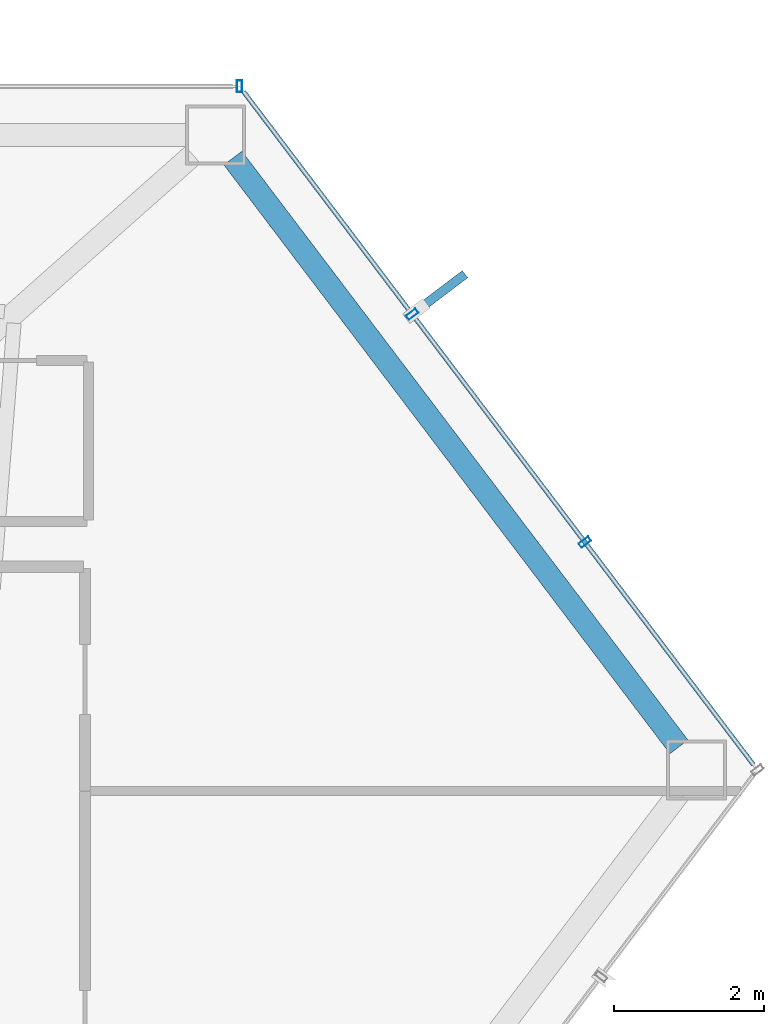
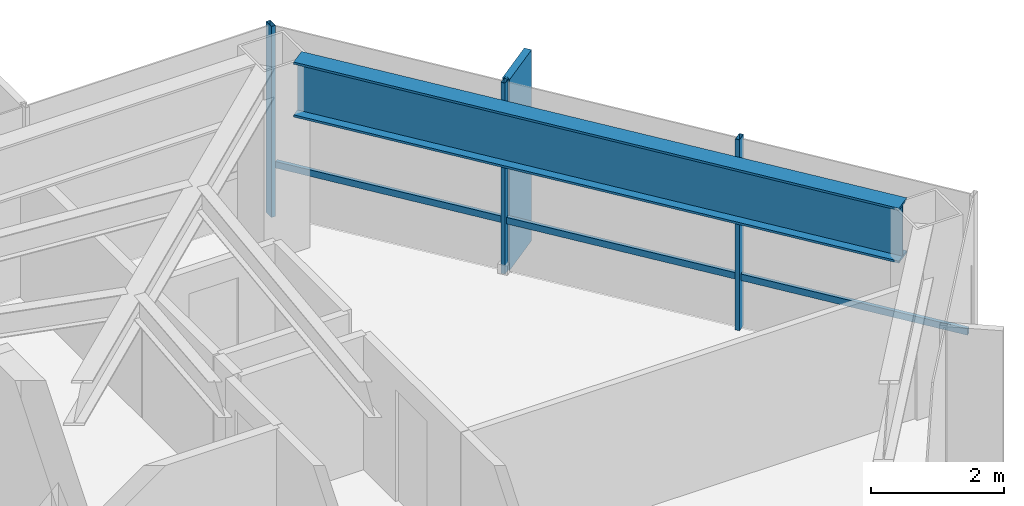
# One storey, part 23 of 28: 5 members, 1 beam, 2 elements without a shape of their own.
"""IFC4 building model written with IfcOpenShell, lengths in metres."""

import ifcopenshell
import ifcopenshell.guid

model = None  # the IFC model being written
_history = None  # IfcOwnerHistory: only IFC2X3 demands one
_inside = {}  # id of a spatial element -> (the spatial element, [elements in it])
_under = {}  # id of a project, library or spatial element -> (it, [spatial elements below it])
_declared = {}  # id of a project -> (the project, [libraries it declares])
_typed = {}  # id of a type object -> (the type object, [elements of that type])
_made_of = {}  # id of a material, layer set ... -> (it, [elements and type objects made of it])


def new_model(schema):
    """Start an empty IFC model of exactly this schema.

    Asked for "IFC4X3", IfcOpenShell would pick the latest addendum, in which some entities
    have other attributes; the version numbers below select the first issue.
    IFC2X3 requires an IfcOwnerHistory on every rooted entity: one is made here for all.
    """
    global model, _history
    if schema == "IFC4X3":
        model = ifcopenshell.file(schema_version=(4, 3, 0, 0))
    else:
        model = ifcopenshell.file(schema=schema)
    _inside.clear()
    _under.clear()
    _declared.clear()
    _typed.clear()
    _made_of.clear()
    _history = None
    if model.schema == "IFC2X3":
        org = make("IfcOrganization", Name="unknown")
        user = make(
            "IfcPersonAndOrganization",
            ThePerson=make("IfcPerson", FamilyName="unknown"),
            TheOrganization=org,
        )
        app = make(
            "IfcApplication",
            ApplicationDeveloper=org,
            Version="unknown",
            ApplicationFullName="unknown",
            ApplicationIdentifier="unknown",
        )
        _history = make(
            "IfcOwnerHistory",
            OwningUser=user,
            OwningApplication=app,
            ChangeAction="ADDED",
            CreationDate=0,
        )
    return model


def make(cls, **values):
    """One entity of the class cls with the attributes given. An attribute that is None is left unset."""
    return model.create_entity(
        cls, **{name: value for name, value in values.items() if value is not None}
    )


def rooted(cls, **values):
    """An entity with a GlobalId (a new one), such as an element, a storey or a relation."""
    return make(cls, GlobalId=ifcopenshell.guid.new(), OwnerHistory=_history, **values)


def si_unit(unit_type, name, prefix=None):
    """IfcSIUnit, for example si_unit("LENGTHUNIT", "METRE", prefix="MILLI")."""
    return make("IfcSIUnit", UnitType=unit_type, Prefix=prefix, Name=name)


def assignment(units):
    """IfcUnitAssignment: the units of a project."""
    return None if units is None else make("IfcUnitAssignment", Units=units)


def point(xyz):
    """IfcCartesianPoint."""
    return None if xyz is None else make("IfcCartesianPoint", Coordinates=xyz)


def direction(xyz):
    """IfcDirection."""
    return None if xyz is None else make("IfcDirection", DirectionRatios=xyz)


def frame(location, z_axis=None, x_axis=None):
    """IfcAxis2Placement3D, a coordinate frame: its origin and axes. An axis left out is left unset."""
    return make(
        "IfcAxis2Placement3D",
        Location=point(location),
        Axis=direction(z_axis),
        RefDirection=direction(x_axis),
    )


def frame_2d(location, x_axis=None):
    """IfcAxis2Placement2D, a coordinate frame in the plane: its origin and x axis."""
    return make(
        "IfcAxis2Placement2D", Location=point(location), RefDirection=direction(x_axis)
    )


def origin():
    """The frame at (0, 0, 0) with its axes left unset."""
    return frame((0.0, 0.0, 0.0))


def origin_2d():
    """The frame at (0, 0) in the plane with its x axis left unset."""
    return frame_2d((0.0, 0.0))


def place(relative_to, where):
    """IfcLocalPlacement: puts the frame where relative to a parent placement (None: the world)."""
    return make(
        "IfcLocalPlacement", PlacementRelTo=relative_to, RelativePlacement=where
    )


def context(
    kind, dimensions, precision=None, world=None, true_north=None, identifier=None
):
    """IfcGeometricRepresentationContext, for example the 3D "Model" context."""
    return make(
        "IfcGeometricRepresentationContext",
        ContextIdentifier=identifier,
        ContextType=kind,
        CoordinateSpaceDimension=dimensions,
        Precision=precision,
        WorldCoordinateSystem=world,
        TrueNorth=true_north,
    )


def subcontext(parent, identifier, kind, view, scale=None):
    """IfcGeometricRepresentationSubContext, for example "Body" below "Model"."""
    return make(
        "IfcGeometricRepresentationSubContext",
        ContextIdentifier=identifier,
        ContextType=kind,
        ParentContext=parent,
        TargetScale=scale,
        TargetView=view,
    )


def project(units=None, contexts=None):
    """IfcProject with its units and contexts."""
    return rooted(
        "IfcProject",
        Name="project",
        RepresentationContexts=contexts,
        UnitsInContext=assignment(units),
    )


def spatial(cls, under=None, at=None, **own):
    """A site, building, storey or space (cls), placed at a placement, below another one or the project."""
    s = rooted(cls, ObjectPlacement=at, **own)
    if under is not None:
        _under.setdefault(under.id(), (under, []))[1].append(s)
    return s


def profile(cls, at=None, kind="AREA", **sizes):
    """A parametric profile (cls). Its sizes go by their IFC names, for example OverallWidth=200.0."""
    return make(cls, ProfileType=kind, Position=at, **sizes)


def rectangle(**sizes):
    """IfcRectangleProfileDef."""
    return profile("IfcRectangleProfileDef", **sizes)


def hollow_rectangle(**sizes):
    """IfcRectangleHollowProfileDef."""
    return profile("IfcRectangleHollowProfileDef", **sizes)


def i_section(**sizes):
    """IfcIShapeProfileDef."""
    return profile("IfcIShapeProfileDef", **sizes)


def extrude(swept, where, along, depth):
    """IfcExtrudedAreaSolid: the profile swept, set in the frame where, extruded along a direction by depth."""
    return make(
        "IfcExtrudedAreaSolid",
        SweptArea=swept,
        Position=where,
        ExtrudedDirection=direction(along),
        Depth=depth,
    )


def shape(context_of_items, identifier, shape_type, items):
    """IfcShapeRepresentation: the items that make up one representation, for example the "Body"."""
    return make(
        "IfcShapeRepresentation",
        ContextOfItems=context_of_items,
        RepresentationIdentifier=identifier,
        RepresentationType=shape_type,
        Items=items,
    )


def material(Name=None, Category=None):
    """IfcMaterial."""
    return make("IfcMaterial", Name=Name, Category=Category)


def layer(
    of_material, thickness, ventilated=None, Name=None, Category=None, Priority=None
):
    """IfcMaterialLayer: one layer of a wall or slab, of a material (None: an air gap)."""
    return make(
        "IfcMaterialLayer",
        Material=of_material,
        LayerThickness=thickness,
        IsVentilated=ventilated,
        Name=Name,
        Category=Category,
        Priority=Priority,
    )


def layer_set(layers, Name=None):
    """IfcMaterialLayerSet."""
    return make("IfcMaterialLayerSet", MaterialLayers=layers, LayerSetName=Name)


def material_profile(
    of_material, cross_section, Name=None, Category=None, Priority=None
):
    """IfcMaterialProfile: a cross section and its material."""
    return make(
        "IfcMaterialProfile",
        Name=Name,
        Material=of_material,
        Profile=cross_section,
        Priority=Priority,
        Category=Category,
    )


def profile_set(profiles, Name=None, composite=None):
    """IfcMaterialProfileSet."""
    return make(
        "IfcMaterialProfileSet",
        Name=Name,
        MaterialProfiles=profiles,
        CompositeProfile=composite,
    )


def made_of(thing, what):
    """Note that an element or type object is made of a material, layer set ...; save() writes the relation."""
    if what is not None:
        _made_of.setdefault(what.id(), (what, []))[1].append(thing)
    return thing


def type_object(cls, material=None, **own):
    """A type object (cls), such as IfcWallType, which elements share."""
    return made_of(rooted(cls, **own), material)


def element(
    cls,
    number,
    at=None,
    inside=None,
    cuts=None,
    type_object=None,
    material=None,
    context=None,
    identifier="Body",
    shape_type=None,
    held_by="IfcProductDefinitionShape",
    body=None,
    shapes=None,
    **own,
):
    """One element of the class cls, such as IfcWall. Its Tag is "e" and its number.

    at: its placement. inside: the storey or other place that contains it. cuts: it is an
    opening in that element (IfcRelVoidsElement). A single representation is given by context,
    identifier, shape_type and body (its items); several are given by shapes. held_by: the class
    of the entity that holds the representations. save() writes the other relations.
    """
    e = rooted(cls, Tag="e%d" % number, ObjectPlacement=at, **own)
    if body is not None:
        shapes = [shape(context, identifier, shape_type, body)]
    if shapes is not None:
        e.Representation = make(held_by, Representations=shapes)
    if inside is not None:
        _inside.setdefault(inside.id(), (inside, []))[1].append(e)
    if cuts is not None:
        rooted(
            "IfcRelVoidsElement", RelatingBuildingElement=cuts, RelatedOpeningElement=e
        )
    if type_object is not None:
        _typed.setdefault(type_object.id(), (type_object, []))[1].append(e)
    return made_of(e, material)


def aggregate(whole, parts):
    """IfcRelAggregates: a whole, such as a stair, and the parts it consists of."""
    return rooted("IfcRelAggregates", RelatingObject=whole, RelatedObjects=parts)


def save(model, path):
    """Write the relations noted so far, then the file.

    IfcRelAggregates (storeys below a building ...), IfcRelContainedInSpatialStructure (elements
    in a storey), IfcRelDefinesByType, IfcRelAssociatesMaterial and IfcRelDeclares: one each for
    every whole, place, type object, material and project.
    """
    for whole, parts in _under.values():
        aggregate(whole, parts)
    for where, things in _inside.values():
        rooted(
            "IfcRelContainedInSpatialStructure",
            RelatedElements=things,
            RelatingStructure=where,
        )
    for kind, things in _typed.values():
        rooted("IfcRelDefinesByType", RelatedObjects=things, RelatingType=kind)
    for what, things in _made_of.values():
        rooted("IfcRelAssociatesMaterial", RelatedObjects=things, RelatingMaterial=what)
    for by, libraries in _declared.values():
        rooted("IfcRelDeclares", RelatingContext=by, RelatedDefinitions=libraries)
    model.write(path)


model = new_model("IFC4")

# Units and contexts
model_context = context("Model", 3, precision=1e-05, world=origin(), true_north=direction((0.0, 1.0)))
body_context = subcontext(model_context, "Body", "Model", "MODEL_VIEW")
ifc_project = project(units=[si_unit("LENGTHUNIT", "METRE"), si_unit("AREAUNIT", "SQUARE_METRE"), si_unit("VOLUMEUNIT", "CUBIC_METRE"), si_unit("PLANEANGLEUNIT", "RADIAN"), si_unit("MASSUNIT", "GRAM", prefix="KILO")], contexts=[model_context])

# Site, building, storey
site_placement = place(None, origin())
site = spatial("IfcSite", under=ifc_project, at=site_placement, CompositionType="ELEMENT")
building_placement = place(site_placement, origin())
building = spatial("IfcBuilding", under=site, at=building_placement, Name="Zarrinselat Tower", CompositionType="ELEMENT")
storey_placement = place(building_placement, frame((0.0, 0.0, 157.080078125)))
storey = spatial("IfcBuildingStorey", under=building, at=storey_placement, Name="L38", CompositionType="ELEMENT", Elevation=157.080078125)

# Beam
ifc_material_1 = material(Name="Steel S460M", Category="steel")
ifc_material_profile_1 = material_profile(ifc_material_1, i_section(OverallWidth=0.302001953125, OverallDepth=1.008056640625, WebThickness=0.02099609375, FlangeThickness=0.0400390625, at=origin_2d()), Name="HEM 1000")
ifc_profile_set_1 = profile_set([ifc_material_profile_1], Name="Steel S460M")
beam_type = type_object("IfcBeamType", Name="BM-HEM1000", PredefinedType="BEAM", material=ifc_profile_set_1)
beam_placement = place(storey_placement, frame((55.9765625, 47.95751953125, 2.995849609375), z_axis=(0.603846251139, -0.79710081231, 0.0), x_axis=(0.79710081231, 0.603846251139, 0.0)))
element("IfcBeam", 1, at=beam_placement, inside=storey, type_object=beam_type, Name="L38 Perimeter Spandrel Girder SP15", PredefinedType="BEAM", context=body_context, shape_type="SweptSolid", body=[
    extrude(i_section(OverallWidth=0.302001953125, OverallDepth=1.008056640625, WebThickness=0.02099609375, FlangeThickness=0.0400390625, at=origin_2d()), origin(), (0.0, 0.0, 1.0), 9.864013671875),
])

# Curtain wall, member
ifc_material_2 = material(Name="Extruded Aluminium Alloy EN AW-6063 T6", Category="aluminium")
ifc_layer = layer(ifc_material_2, 0.175048828125)
ifc_layer_set = layer_set([ifc_layer], Name="Extruded Aluminium Alloy EN AW-6063 T6")
curtain_wall_type = type_object("IfcCurtainWallType", Name="CWS-HTL", PredefinedType="NOTDEFINED", material=ifc_layer_set)
curtain_wall_1_placement = place(storey_placement, origin())
curtain_wall_1 = element("IfcCurtainWall", 2, at=curtain_wall_1_placement, inside=storey, type_object=curtain_wall_type, Name="L38 Unitised Curtain Wall CW-L38-E03", PredefinedType="NOTDEFINED")
ifc_material_3 = material(Name="Extruded Aluminium Alloy EN AW-6063 T6", Category="aluminium")
ifc_material_profile_2 = material_profile(ifc_material_3, hollow_rectangle(XDim=0.070068359375, YDim=0.159912109375, WallThickness=0.00390625, at=origin_2d()), Name="RHS 160x70x4")
ifc_profile_set_2 = profile_set([ifc_material_profile_2], Name="Extruded Aluminium Alloy EN AW-6063 T6")
member_type_1 = type_object("IfcMemberType", Name="MEM-CW-MUL2", PredefinedType="MULLION", material=ifc_profile_set_2)
member_1_placement = place(storey_placement, frame((56.065185546875, 48.916748046875, 0.0), z_axis=(0.0, 0.0, 1.0), x_axis=(1.0, 0.0, 0.0)))
member_1 = element("IfcMember", 3, at=member_1_placement, type_object=member_type_1, Name="CW-L38-E03 Mullion 10", PredefinedType="MULLION", context=body_context, shape_type="SweptSolid", body=[
    extrude(hollow_rectangle(XDim=0.070068359375, YDim=0.159912109375, WallThickness=0.00390625, at=origin_2d()), origin(), (0.0, 0.0, 1.0), 3.5),
])
aggregate(curtain_wall_1, [member_1])

# Curtain wall, members
curtain_wall_2_placement = place(storey_placement, origin())
curtain_wall_2 = element("IfcCurtainWall", 4, at=curtain_wall_2_placement, inside=storey, type_object=curtain_wall_type, Name="L38 Unitised Curtain Wall CW-L38-E04", PredefinedType="NOTDEFINED")
member_2_placement = place(storey_placement, frame((58.37109375, 45.873046875, 0.0), z_axis=(0.0, 0.0, 1.0), x_axis=(0.603856343425, -0.797093166766, 0.0)))
member_2 = element("IfcMember", 5, at=member_2_placement, type_object=member_type_1, Name="CW-L38-E04 Mullion 1", PredefinedType="MULLION", context=body_context, shape_type="SweptSolid", body=[
    extrude(hollow_rectangle(XDim=0.070068359375, YDim=0.159912109375, WallThickness=0.00390625, at=origin_2d()), origin(), (0.0, 0.0, 1.0), 3.5),
])
member_3_placement = place(storey_placement, frame((60.6767578125, 42.829345703125, 0.0), z_axis=(0.0, 0.0, 1.0), x_axis=(0.603856343425, -0.797093166766, 0.0)))
member_3 = element("IfcMember", 6, at=member_3_placement, type_object=member_type_1, Name="CW-L38-E04 Mullion 2", PredefinedType="MULLION", context=body_context, shape_type="SweptSolid", body=[
    extrude(hollow_rectangle(XDim=0.070068359375, YDim=0.159912109375, WallThickness=0.00390625, at=origin_2d()), origin(), (0.0, 0.0, 1.0), 3.5),
])
ifc_material_4 = material(Name="Extruded Aluminium Alloy EN AW-6063 T6", Category="aluminium")
ifc_material_profile_3 = material_profile(ifc_material_4, hollow_rectangle(XDim=0.06005859375, YDim=0.1201171875, WallThickness=0.00390625, at=origin_2d()), Name="RHS 120x60x4")
ifc_profile_set_3 = profile_set([ifc_material_profile_3], Name="Extruded Aluminium Alloy EN AW-6063 T6")
member_type_2 = type_object("IfcMemberType", Name="MEM-CW-TRN2", PredefinedType="USERDEFINED", material=ifc_profile_set_3)
member_4_placement = place(storey_placement, frame((56.119384765625, 48.844970703125, 0.949951171875), z_axis=(0.603862690513, -0.797088358344, 0.0), x_axis=(0.797088358344, 0.603862690513, 0.0)))
member_4 = element("IfcMember", 7, at=member_4_placement, type_object=member_type_2, Name="CW-L38-E04 Transom 1", ObjectType="TRANSOM", PredefinedType="USERDEFINED", context=body_context, shape_type="SweptSolid", body=[
    extrude(hollow_rectangle(XDim=0.06005859375, YDim=0.1201171875, WallThickness=0.00390625, at=origin_2d()), origin(), (0.0, 0.0, 1.0), 11.275390625),
])
ifc_material_5 = material(Name="Honed Cream Travertine Stone", Category="masonry")
ifc_material_profile_4 = material_profile(ifc_material_5, rectangle(XDim=0.1201171875, YDim=0.85009765625, at=origin_2d()), Name="FIN 850x120")
ifc_profile_set_4 = profile_set([ifc_material_profile_4], Name="Honed Cream Travertine Stone")
member_type_3 = type_object("IfcMemberType", Name="MEM-STONE-FIN", PredefinedType="USERDEFINED", material=ifc_profile_set_4)
member_5_placement = place(storey_placement, frame((58.73779296875, 46.15087890625, 0.0), z_axis=(0.0, 0.0, 1.0), x_axis=(0.603856343425, -0.797093166766, 0.0)))
member_5 = element("IfcMember", 8, at=member_5_placement, type_object=member_type_3, Name="L38 Stone Shading Fin CW-L38-E04-01", ObjectType="FIN", PredefinedType="USERDEFINED", context=body_context, shape_type="SweptSolid", body=[
    extrude(rectangle(XDim=0.1201171875, YDim=0.85009765625, at=origin_2d()), origin(), (0.0, 0.0, 1.0), 3.5),
])
aggregate(curtain_wall_2, [member_2, member_5, member_3, member_4])

save(model, "model.ifc")
